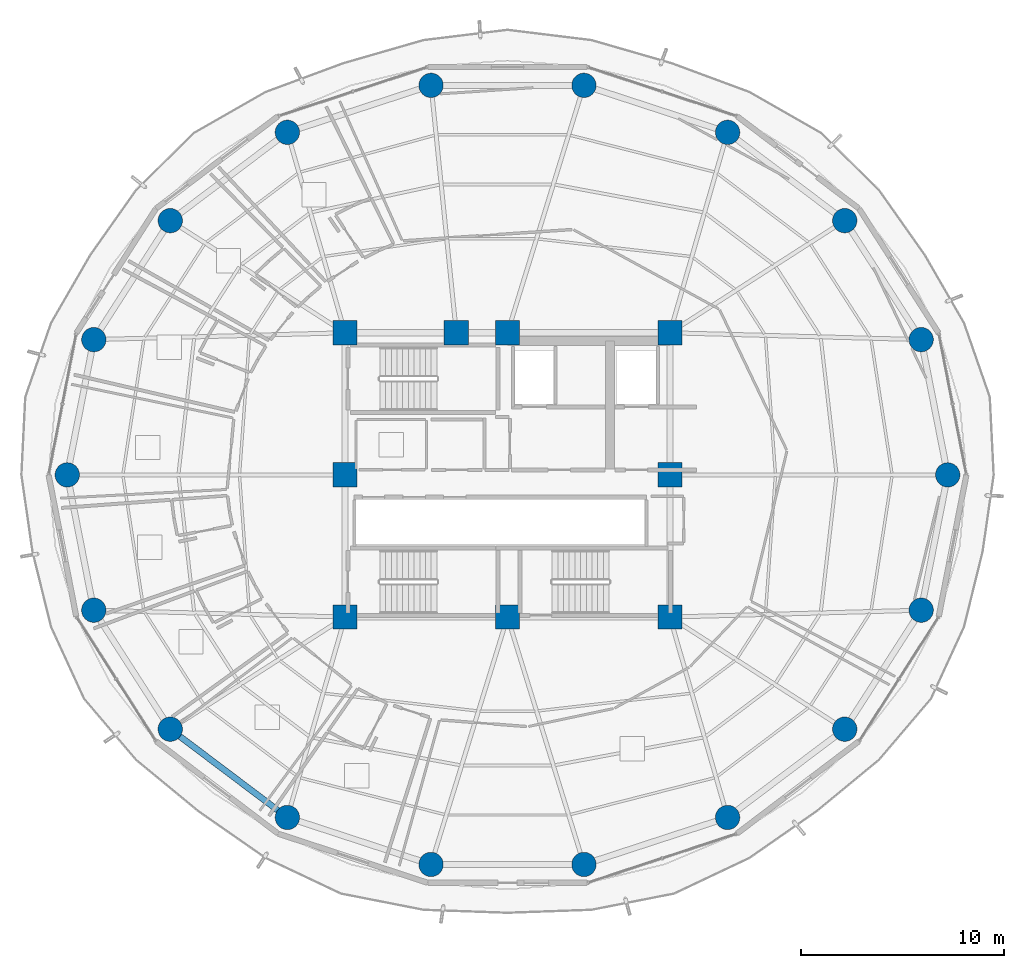
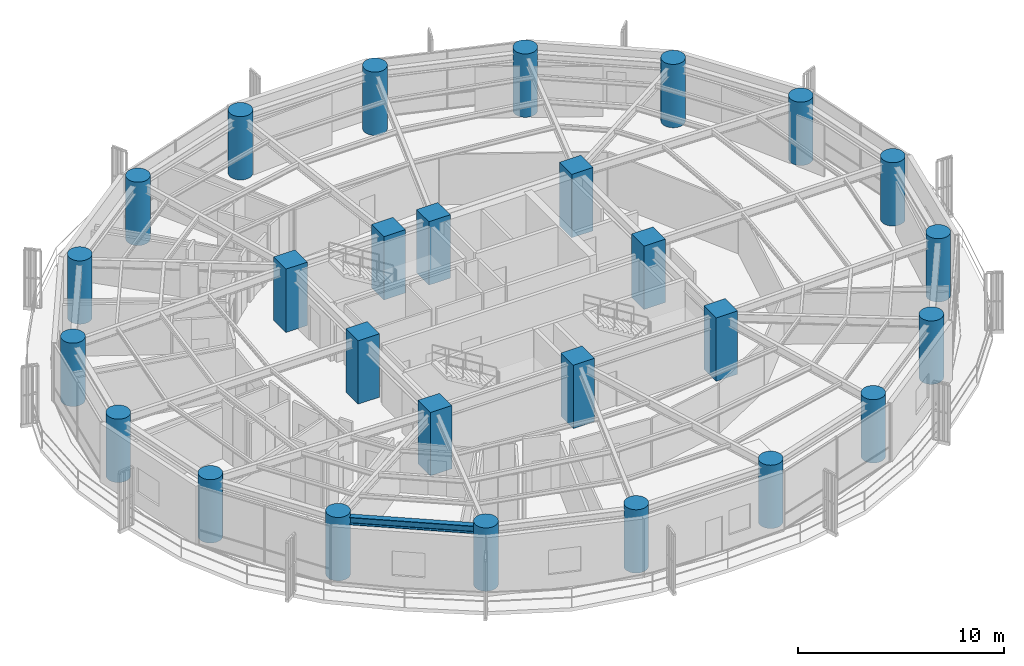
# One storey, part 1 of 29: 27 columns, 1 beam.
"""IFC4 building model written with IfcOpenShell, lengths in metres."""

import ifcopenshell
import ifcopenshell.guid

model = None  # the IFC model being written
_history = None  # IfcOwnerHistory: only IFC2X3 demands one
_inside = {}  # id of a spatial element -> (the spatial element, [elements in it])
_under = {}  # id of a project, library or spatial element -> (it, [spatial elements below it])
_declared = {}  # id of a project -> (the project, [libraries it declares])
_typed = {}  # id of a type object -> (the type object, [elements of that type])
_made_of = {}  # id of a material, layer set ... -> (it, [elements and type objects made of it])


def new_model(schema):
    """Start an empty IFC model of exactly this schema.

    Asked for "IFC4X3", IfcOpenShell would pick the latest addendum, in which some entities
    have other attributes; the version numbers below select the first issue.
    IFC2X3 requires an IfcOwnerHistory on every rooted entity: one is made here for all.
    """
    global model, _history
    if schema == "IFC4X3":
        model = ifcopenshell.file(schema_version=(4, 3, 0, 0))
    else:
        model = ifcopenshell.file(schema=schema)
    _inside.clear()
    _under.clear()
    _declared.clear()
    _typed.clear()
    _made_of.clear()
    _history = None
    if model.schema == "IFC2X3":
        org = make("IfcOrganization", Name="unknown")
        user = make(
            "IfcPersonAndOrganization",
            ThePerson=make("IfcPerson", FamilyName="unknown"),
            TheOrganization=org,
        )
        app = make(
            "IfcApplication",
            ApplicationDeveloper=org,
            Version="unknown",
            ApplicationFullName="unknown",
            ApplicationIdentifier="unknown",
        )
        _history = make(
            "IfcOwnerHistory",
            OwningUser=user,
            OwningApplication=app,
            ChangeAction="ADDED",
            CreationDate=0,
        )
    return model


def make(cls, **values):
    """One entity of the class cls with the attributes given. An attribute that is None is left unset."""
    return model.create_entity(
        cls, **{name: value for name, value in values.items() if value is not None}
    )


def rooted(cls, **values):
    """An entity with a GlobalId (a new one), such as an element, a storey or a relation."""
    return make(cls, GlobalId=ifcopenshell.guid.new(), OwnerHistory=_history, **values)


def si_unit(unit_type, name, prefix=None):
    """IfcSIUnit, for example si_unit("LENGTHUNIT", "METRE", prefix="MILLI")."""
    return make("IfcSIUnit", UnitType=unit_type, Prefix=prefix, Name=name)


def assignment(units):
    """IfcUnitAssignment: the units of a project."""
    return None if units is None else make("IfcUnitAssignment", Units=units)


def point(xyz):
    """IfcCartesianPoint."""
    return None if xyz is None else make("IfcCartesianPoint", Coordinates=xyz)


def direction(xyz):
    """IfcDirection."""
    return None if xyz is None else make("IfcDirection", DirectionRatios=xyz)


def frame(location, z_axis=None, x_axis=None):
    """IfcAxis2Placement3D, a coordinate frame: its origin and axes. An axis left out is left unset."""
    return make(
        "IfcAxis2Placement3D",
        Location=point(location),
        Axis=direction(z_axis),
        RefDirection=direction(x_axis),
    )


def frame_2d(location, x_axis=None):
    """IfcAxis2Placement2D, a coordinate frame in the plane: its origin and x axis."""
    return make(
        "IfcAxis2Placement2D", Location=point(location), RefDirection=direction(x_axis)
    )


def origin():
    """The frame at (0, 0, 0) with its axes left unset."""
    return frame((0.0, 0.0, 0.0))


def origin_2d():
    """The frame at (0, 0) in the plane with its x axis left unset."""
    return frame_2d((0.0, 0.0))


def place(relative_to, where):
    """IfcLocalPlacement: puts the frame where relative to a parent placement (None: the world)."""
    return make(
        "IfcLocalPlacement", PlacementRelTo=relative_to, RelativePlacement=where
    )


def context(
    kind, dimensions, precision=None, world=None, true_north=None, identifier=None
):
    """IfcGeometricRepresentationContext, for example the 3D "Model" context."""
    return make(
        "IfcGeometricRepresentationContext",
        ContextIdentifier=identifier,
        ContextType=kind,
        CoordinateSpaceDimension=dimensions,
        Precision=precision,
        WorldCoordinateSystem=world,
        TrueNorth=true_north,
    )


def subcontext(parent, identifier, kind, view, scale=None):
    """IfcGeometricRepresentationSubContext, for example "Body" below "Model"."""
    return make(
        "IfcGeometricRepresentationSubContext",
        ContextIdentifier=identifier,
        ContextType=kind,
        ParentContext=parent,
        TargetScale=scale,
        TargetView=view,
    )


def project(units=None, contexts=None):
    """IfcProject with its units and contexts."""
    return rooted(
        "IfcProject",
        Name="project",
        RepresentationContexts=contexts,
        UnitsInContext=assignment(units),
    )


def spatial(cls, under=None, at=None, **own):
    """A site, building, storey or space (cls), placed at a placement, below another one or the project."""
    s = rooted(cls, ObjectPlacement=at, **own)
    if under is not None:
        _under.setdefault(under.id(), (under, []))[1].append(s)
    return s


def profile(cls, at=None, kind="AREA", **sizes):
    """A parametric profile (cls). Its sizes go by their IFC names, for example OverallWidth=200.0."""
    return make(cls, ProfileType=kind, Position=at, **sizes)


def rectangle(**sizes):
    """IfcRectangleProfileDef."""
    return profile("IfcRectangleProfileDef", **sizes)


def circle(**sizes):
    """IfcCircleProfileDef."""
    return profile("IfcCircleProfileDef", **sizes)


def i_section(**sizes):
    """IfcIShapeProfileDef."""
    return profile("IfcIShapeProfileDef", **sizes)


def extrude(swept, where, along, depth):
    """IfcExtrudedAreaSolid: the profile swept, set in the frame where, extruded along a direction by depth."""
    return make(
        "IfcExtrudedAreaSolid",
        SweptArea=swept,
        Position=where,
        ExtrudedDirection=direction(along),
        Depth=depth,
    )


def shape(context_of_items, identifier, shape_type, items):
    """IfcShapeRepresentation: the items that make up one representation, for example the "Body"."""
    return make(
        "IfcShapeRepresentation",
        ContextOfItems=context_of_items,
        RepresentationIdentifier=identifier,
        RepresentationType=shape_type,
        Items=items,
    )


def material(Name=None, Category=None):
    """IfcMaterial."""
    return make("IfcMaterial", Name=Name, Category=Category)


def material_profile(
    of_material, cross_section, Name=None, Category=None, Priority=None
):
    """IfcMaterialProfile: a cross section and its material."""
    return make(
        "IfcMaterialProfile",
        Name=Name,
        Material=of_material,
        Profile=cross_section,
        Priority=Priority,
        Category=Category,
    )


def profile_set(profiles, Name=None, composite=None):
    """IfcMaterialProfileSet."""
    return make(
        "IfcMaterialProfileSet",
        Name=Name,
        MaterialProfiles=profiles,
        CompositeProfile=composite,
    )


def made_of(thing, what):
    """Note that an element or type object is made of a material, layer set ...; save() writes the relation."""
    if what is not None:
        _made_of.setdefault(what.id(), (what, []))[1].append(thing)
    return thing


def type_object(cls, material=None, **own):
    """A type object (cls), such as IfcWallType, which elements share."""
    return made_of(rooted(cls, **own), material)


def element(
    cls,
    number,
    at=None,
    inside=None,
    cuts=None,
    type_object=None,
    material=None,
    context=None,
    identifier="Body",
    shape_type=None,
    held_by="IfcProductDefinitionShape",
    body=None,
    shapes=None,
    **own,
):
    """One element of the class cls, such as IfcWall. Its Tag is "e" and its number.

    at: its placement. inside: the storey or other place that contains it. cuts: it is an
    opening in that element (IfcRelVoidsElement). A single representation is given by context,
    identifier, shape_type and body (its items); several are given by shapes. held_by: the class
    of the entity that holds the representations. save() writes the other relations.
    """
    e = rooted(cls, Tag="e%d" % number, ObjectPlacement=at, **own)
    if body is not None:
        shapes = [shape(context, identifier, shape_type, body)]
    if shapes is not None:
        e.Representation = make(held_by, Representations=shapes)
    if inside is not None:
        _inside.setdefault(inside.id(), (inside, []))[1].append(e)
    if cuts is not None:
        rooted(
            "IfcRelVoidsElement", RelatingBuildingElement=cuts, RelatedOpeningElement=e
        )
    if type_object is not None:
        _typed.setdefault(type_object.id(), (type_object, []))[1].append(e)
    return made_of(e, material)


def aggregate(whole, parts):
    """IfcRelAggregates: a whole, such as a stair, and the parts it consists of."""
    return rooted("IfcRelAggregates", RelatingObject=whole, RelatedObjects=parts)


def save(model, path):
    """Write the relations noted so far, then the file.

    IfcRelAggregates (storeys below a building ...), IfcRelContainedInSpatialStructure (elements
    in a storey), IfcRelDefinesByType, IfcRelAssociatesMaterial and IfcRelDeclares: one each for
    every whole, place, type object, material and project.
    """
    for whole, parts in _under.values():
        aggregate(whole, parts)
    for where, things in _inside.values():
        rooted(
            "IfcRelContainedInSpatialStructure",
            RelatedElements=things,
            RelatingStructure=where,
        )
    for kind, things in _typed.values():
        rooted("IfcRelDefinesByType", RelatedObjects=things, RelatingType=kind)
    for what, things in _made_of.values():
        rooted("IfcRelAssociatesMaterial", RelatedObjects=things, RelatingMaterial=what)
    for by, libraries in _declared.values():
        rooted("IfcRelDeclares", RelatingContext=by, RelatedDefinitions=libraries)
    model.write(path)


model = new_model("IFC4")

# Units and contexts
model_context = context("Model", 3, precision=1e-05, world=origin(), true_north=direction((0.0, 1.0)))
body_context = subcontext(model_context, "Body", "Model", "MODEL_VIEW")
ifc_project = project(units=[si_unit("LENGTHUNIT", "METRE"), si_unit("AREAUNIT", "SQUARE_METRE"), si_unit("VOLUMEUNIT", "CUBIC_METRE"), si_unit("PLANEANGLEUNIT", "RADIAN"), si_unit("MASSUNIT", "GRAM", prefix="KILO")], contexts=[model_context])

# Site, building, storey
site_placement = place(None, origin())
site = spatial("IfcSite", under=ifc_project, at=site_placement, CompositionType="ELEMENT")
building_placement = place(site_placement, origin())
building = spatial("IfcBuilding", under=site, at=building_placement, Name="Kelanora Arch Commons", CompositionType="ELEMENT")
storey_placement = place(building_placement, frame((0.0, 0.0, 135.60009765625)))
storey = spatial("IfcBuildingStorey", under=building, at=storey_placement, Name="L34", CompositionType="ELEMENT", Elevation=135.60009765625)

# Columns
ifc_material_1 = material(Name="Concrete C50/60", Category="concrete")
ifc_material_profile_1 = material_profile(ifc_material_1, circle(Radius=0.60009765625, at=origin_2d()), Name="RCC1200")
ifc_profile_set_1 = profile_set([ifc_material_profile_1], Name="Concrete C50/60")
column_type_1 = type_object("IfcColumnType", Name="COL-PERIM-Z3", PredefinedType="COLUMN", material=ifc_profile_set_1)
for number, where, z_axis, x_axis, name in (
    (1, (95.679931640625, 58.0, 0.0), (0.0, 0.0, 1.0), (1.0, 0.0, 0.0), "Perimeter Ring Column CP-00 L34"),
    (2, (94.37255859375, 64.66259765625, 0.0), (0.0, 0.0, 1.0), (1.0, 0.0, 0.0), "Perimeter Ring Column CP-02 L34"),
    (3, (90.60791015625, 70.521484375, 0.0), (0.0, 0.0, 1.0), (1.0, 0.0, 0.0), "Perimeter Ring Column CP-04 L34"),
    (4, (84.840087890625, 74.8701171875, 0.0), (0.0, 0.0, 1.0), (1.0, 0.0, 0.0), "Perimeter Ring Column CP-06 L34"),
    (5, (77.7646484375, 77.18408203125, 0.0), (0.0, 0.0, 1.0), (1.0, 0.0, 0.0), "Perimeter Ring Column CP-08 L34"),
    (6, (70.2353515625, 77.18408203125, 0.0), (0.0, 0.0, 1.0), (1.0, 0.0, 0.0), "Perimeter Ring Column CP-10 L34"),
    (7, (63.159912109375, 74.8701171875, 0.0), (0.0, 0.0, 1.0), (1.0, 0.0, 0.0), "Perimeter Ring Column CP-12 L34"),
    (8, (57.39208984375, 70.521484375, 0.0), (0.0, 0.0, 1.0), (1.0, 0.0, 0.0), "Perimeter Ring Column CP-14 L34"),
    (9, (53.62744140625, 64.66259765625, 0.0), (0.0, 0.0, 1.0), (1.0, 0.0, 0.0), "Perimeter Ring Column CP-16 L34"),
    (10, (52.320068359375, 58.0, 0.0), (0.0, 0.0, 1.0), (1.0, 0.0, 0.0), "Perimeter Ring Column CP-18 L34"),
    (11, (53.62744140625, 51.33740234375, 0.0), (0.0, 0.0, 1.0), (1.0, 0.0, 0.0), "Perimeter Ring Column CP-20 L34"),
    (12, (57.39208984375, 45.478515625, 0.0), (0.0, 0.0, 1.0), (1.0, 0.0, 0.0), "Perimeter Ring Column CP-22 L34"),
    (13, (63.159912109375, 41.1298828125, 0.0), (0.0, 0.0, 1.0), (1.0, 0.0, 0.0), "Perimeter Ring Column CP-24 L34"),
    (14, (70.2353515625, 38.81591796875, 0.0), (0.0, 0.0, 1.0), (1.0, 0.0, 0.0), "Perimeter Ring Column CP-26 L34"),
    (15, (77.7646484375, 38.81591796875, 0.0), (0.0, 0.0, 1.0), (1.0, 0.0, 0.0), "Perimeter Ring Column CP-28 L34"),
    (16, (84.840087890625, 41.1298828125, 0.0), (0.0, 0.0, 1.0), (1.0, 0.0, 0.0), "Perimeter Ring Column CP-30 L34"),
    (17, (90.60791015625, 45.478515625, 0.0), (0.0, 0.0, 1.0), (1.0, 0.0, 0.0), "Perimeter Ring Column CP-32 L34"),
    (18, (94.37255859375, 51.33740234375, 0.0), (0.0, 0.0, 1.0), (1.0, 0.0, 0.0), "Perimeter Ring Column CP-34 L34"),
):
    element("IfcColumn", number, at=place(storey_placement, frame(where, z_axis=z_axis, x_axis=x_axis)), inside=storey, type_object=column_type_1, Name=name, PredefinedType="COLUMN", context=body_context, shape_type="SweptSolid", body=[
        extrude(circle(Radius=0.60009765625, at=origin_2d()), origin(), (0.0, 0.0, 1.0), 3.75),
    ])
ifc_material_2 = material(Name="Concrete C60/75", Category="concrete")
ifc_material_profile_2 = material_profile(ifc_material_2, rectangle(XDim=1.199951171875, YDim=1.199951171875, at=origin_2d()), Name="RC1200x1200")
ifc_profile_set_2 = profile_set([ifc_material_profile_2], Name="Concrete C60/75")
column_type_2 = type_object("IfcColumnType", Name="COL-PIL-MID", PredefinedType="PILASTER", material=ifc_profile_set_2)
for number, where, z_axis, x_axis, name in (
    (19, (66.0, 51.0, 0.0), (0.0, 0.0, 1.0), (1.0, 0.0, 0.0), "Core Pilaster Column CP1 L34"),
    (20, (74.0, 51.0, 0.0), (0.0, 0.0, 1.0), (1.0, 0.0, 0.0), "Core Pilaster Column CP2 L34"),
    (21, (82.0, 51.0, 0.0), (0.0, 0.0, 1.0), (1.0, 0.0, 0.0), "Core Pilaster Column CP3 L34"),
    (22, (82.0, 58.0, 0.0), (0.0, 0.0, 1.0), (1.0, 0.0, 0.0), "Core Pilaster Column CP4 L34"),
    (23, (82.0, 65.0, 0.0), (0.0, 0.0, 1.0), (1.0, 0.0, 0.0), "Core Pilaster Column CP5 L34"),
    (24, (74.0, 65.0, 0.0), (0.0, 0.0, 1.0), (1.0, 0.0, 0.0), "Core Pilaster Column CP6 L34"),
    (25, (71.47998046875, 65.0, 0.0), (0.0, 0.0, 1.0), (1.0, 0.0, 0.0), "Core Pilaster Column CP9 L34"),
    (26, (66.0, 65.0, 0.0), (0.0, 0.0, 1.0), (1.0, 0.0, 0.0), "Core Pilaster Column CP7 L34"),
    (27, (66.0, 58.0, 0.0), (0.0, 0.0, 1.0), (1.0, 0.0, 0.0), "Core Pilaster Column CP8 L34"),
):
    element("IfcColumn", number, at=place(storey_placement, frame(where, z_axis=z_axis, x_axis=x_axis)), inside=storey, type_object=column_type_2, Name=name, PredefinedType="PILASTER", context=body_context, shape_type="SweptSolid", body=[
        extrude(rectangle(XDim=1.199951171875, YDim=1.199951171875, at=origin_2d()), origin(), (0.0, 0.0, 1.0), 3.75),
    ])

# Beam
ifc_material_3 = material(Name="Steel S355", Category="steel")
ifc_material_profile_3 = material_profile(ifc_material_3, i_section(OverallWidth=0.300048828125, OverallDepth=0.449951171875, WebThickness=0.013916015625, FlangeThickness=0.02587890625, FilletRadius=0.027099609375, at=origin_2d()), Name="HEB450")
ifc_profile_set_3 = profile_set([ifc_material_profile_3], Name="Steel S355")
beam_type = type_object("IfcBeamType", Name="BM-SPN-Z3", PredefinedType="SPANDREL", material=ifc_profile_set_3)
beam_placement = place(storey_placement, frame((57.39208984375, 45.478515625, 3.264892578125), z_axis=(0.798484645564, -0.60201517489, 0.0), x_axis=(0.60201517489, 0.798484645564, 0.0)))
element("IfcBeam", 28, at=beam_placement, inside=storey, type_object=beam_type, Name="Perimeter Spandrel Beam BS-22 L34", PredefinedType="SPANDREL", context=body_context, shape_type="SweptSolid", body=[
    extrude(i_section(OverallWidth=0.300048828125, OverallDepth=0.449951171875, WebThickness=0.013916015625, FlangeThickness=0.02587890625, FilletRadius=0.027099609375, at=origin_2d()), origin(), (0.0, 0.0, 1.0), 7.223388671875),
])

save(model, "model.ifc")
